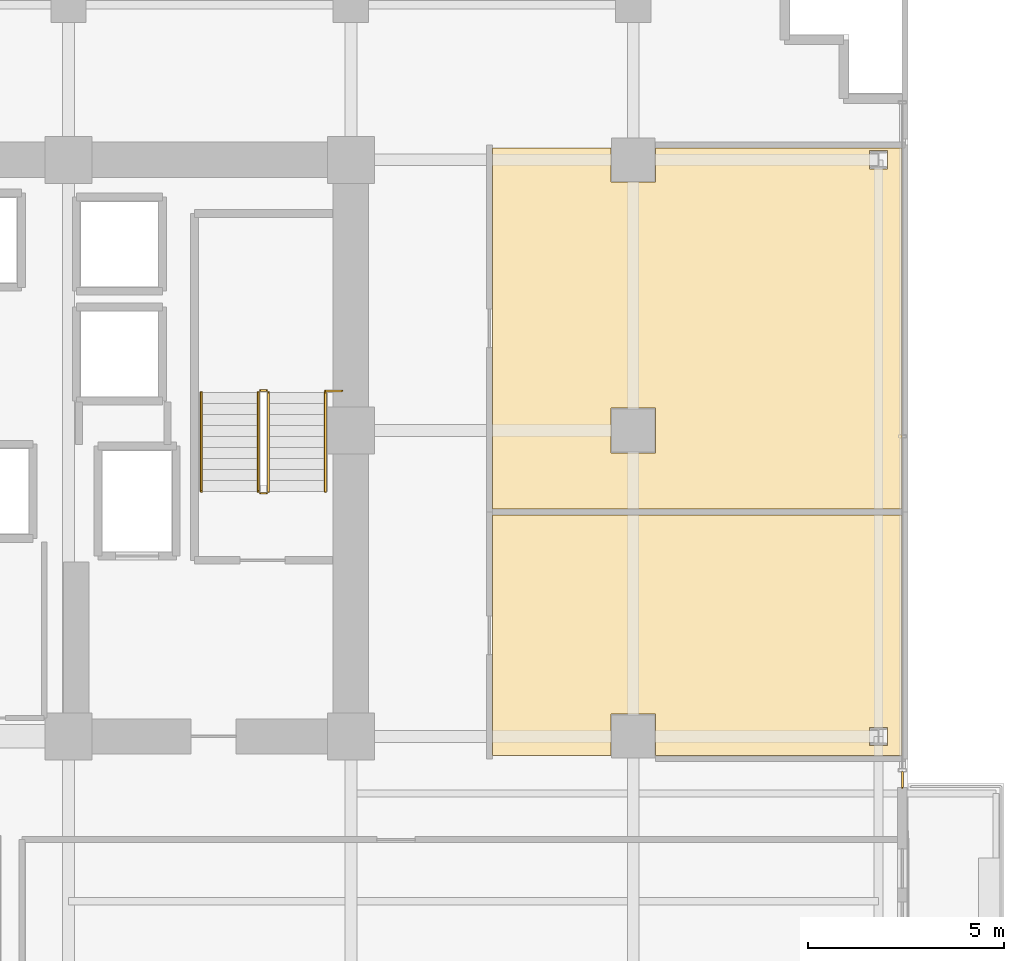
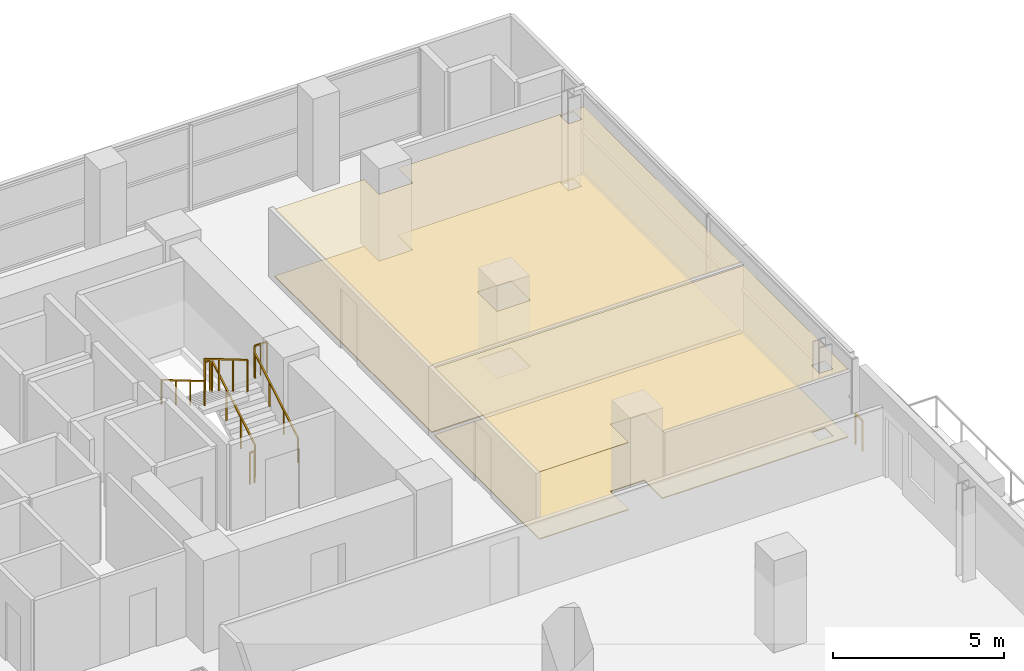
# One storey, part 29 of 30: 8 railings, 4 coverings.
"""IFC4 building model written with IfcOpenShell, lengths in metres."""

from ifc_helpers import new_model, si_unit, direction, frame, origin, origin_2d, place, context, subcontext, project, spatial, polyline, rectangle, outline, extrude, material, layer, layer_set, type_object, element, save


model = new_model("IFC4")

# Units and contexts
model_context = context("Model", 3, precision=1e-05, world=origin(), true_north=direction((0.0, 1.0)))
body_context = subcontext(model_context, "Body", "Model", "MODEL_VIEW")
ifc_project = project(units=[si_unit("LENGTHUNIT", "METRE"), si_unit("AREAUNIT", "SQUARE_METRE"), si_unit("VOLUMEUNIT", "CUBIC_METRE"), si_unit("PLANEANGLEUNIT", "RADIAN"), si_unit("MASSUNIT", "GRAM", prefix="KILO")], contexts=[model_context])

# Site, building, storey
site_placement = place(None, origin())
site = spatial("IfcSite", under=ifc_project, at=site_placement, CompositionType="ELEMENT")
building_placement = place(site_placement, origin())
building = spatial("IfcBuilding", under=site, at=building_placement, Name="Zarnakvel Exchange Tower", CompositionType="ELEMENT")
storey_placement = place(building_placement, frame((0.0, 0.0, 30.699951171875)))
storey = spatial("IfcBuildingStorey", under=building, at=storey_placement, Name="L07", CompositionType="ELEMENT", Elevation=30.699951171875)

# Coverings
ifc_material_1 = material(Name="Perforated Bronze Acoustic Metal Ceiling", Category="aluminium")
ifc_layer_1 = layer(ifc_material_1, 0.02001953125)
ifc_layer_set_1 = layer_set([ifc_layer_1], Name="Perforated Bronze Acoustic Metal Ceiling")
covering_type_1 = type_object("IfcCoveringType", Name="CLG-01", PredefinedType="CEILING", material=ifc_layer_set_1)
covering_1_placement = place(storey_placement, frame((0.0, 0.0, 2.405029296875)))
element("IfcCovering", 1, at=covering_1_placement, inside=storey, type_object=covering_type_1, Name="L07 Suspended Acoustic Ceiling (Staff Pantry)", PredefinedType="CEILING", context=body_context, shape_type="SweptSolid", body=[
    extrude(outline(polyline([(18.010009765625, 4.44189453125), (28.449951171875, 4.44189453125), (28.449951171875, -1.68994140625), (22.169921875, -1.68994140625), (22.169921875, -0.6298828125), (21.030029296875, -0.6298828125), (21.030029296875, -1.68994140625), (18.010009765625, -1.68994140625), (18.010009765625, 4.44189453125)]), holes=[polyline([(27.6240234375, -1.4326171875), (28.075927734375, -1.4326171875), (28.075927734375, -0.967529296875), (27.6240234375, -0.967529296875), (27.6240234375, -1.4326171875)])]), origin(), (0.0, 0.0, 1.0), 0.02001953125),
])
covering_2_placement = place(storey_placement, frame((0.0, 0.0, 2.405029296875)))
element("IfcCovering", 2, at=covering_2_placement, inside=storey, type_object=covering_type_1, Name="L07 Suspended Acoustic Ceiling (Market Data Suite)", PredefinedType="CEILING", context=body_context, shape_type="SweptSolid", body=[
    extrude(outline(polyline([(18.010009765625, 13.800048828125), (21.030029296875, 13.800048828125), (21.030029296875, 12.929931640625), (22.169921875, 12.929931640625), (22.169921875, 13.800048828125), (28.449951171875, 13.800048828125), (28.449951171875, 4.60205078125), (18.010009765625, 4.60205078125), (18.010009765625, 13.800048828125)]), holes=[polyline([(27.6240234375, 13.267578125), (28.075927734375, 13.267578125), (28.075927734375, 13.732421875), (27.6240234375, 13.732421875), (27.6240234375, 13.267578125)]), polyline([(22.169921875, 6.030029296875), (22.169921875, 7.169921875), (21.030029296875, 7.169921875), (21.030029296875, 6.030029296875), (22.169921875, 6.030029296875)])]), origin(), (0.0, 0.0, 1.0), 0.02001953125),
])
ifc_material_2 = material(Name="Heavy-Duty Raised Access Floor Panel", Category="steel")
ifc_layer_2 = layer(ifc_material_2, 0.034912109375)
ifc_layer_set_2 = layer_set([ifc_layer_2], Name="Heavy-Duty Raised Access Floor Panel")
covering_type_2 = type_object("IfcCoveringType", Name="FLR-02", PredefinedType="FLOORING", material=ifc_layer_set_2)
covering_3_placement = place(storey_placement, origin())
element("IfcCovering", 3, at=covering_3_placement, inside=storey, type_object=covering_type_2, Name="L07 Floor Finish (Staff Pantry)", PredefinedType="FLOORING", context=body_context, shape_type="SweptSolid", body=[
    extrude(outline(polyline([(18.010009765625, 4.44189453125), (28.449951171875, 4.44189453125), (28.449951171875, -1.68994140625), (22.169921875, -1.68994140625), (22.169921875, -0.6298828125), (21.030029296875, -0.6298828125), (21.030029296875, -1.68994140625), (18.010009765625, -1.68994140625), (18.010009765625, 4.44189453125)]), holes=[polyline([(27.6240234375, -1.4326171875), (28.075927734375, -1.4326171875), (28.075927734375, -0.967529296875), (27.6240234375, -0.967529296875), (27.6240234375, -1.4326171875)])]), origin(), (0.0, 0.0, 1.0), 0.03515625),
])
covering_4_placement = place(storey_placement, origin())
element("IfcCovering", 4, at=covering_4_placement, inside=storey, type_object=covering_type_2, Name="L07 Floor Finish (Market Data Suite)", PredefinedType="FLOORING", context=body_context, shape_type="SweptSolid", body=[
    extrude(outline(polyline([(18.010009765625, 13.800048828125), (21.030029296875, 13.800048828125), (21.030029296875, 12.929931640625), (22.169921875, 12.929931640625), (22.169921875, 13.800048828125), (28.449951171875, 13.800048828125), (28.449951171875, 4.60205078125), (18.010009765625, 4.60205078125), (18.010009765625, 13.800048828125)]), holes=[polyline([(27.6240234375, 13.267578125), (28.075927734375, 13.267578125), (28.075927734375, 13.732421875), (27.6240234375, 13.732421875), (27.6240234375, 13.267578125)]), polyline([(22.169921875, 6.030029296875), (22.169921875, 7.169921875), (21.030029296875, 7.169921875), (21.030029296875, 6.030029296875), (22.169921875, 6.030029296875)])]), origin(), (0.0, 0.0, 1.0), 0.03515625),
])

# Railings
ifc_material_3 = material(Name="Architectural Bronze Anodised Aluminium", Category="aluminium")
railing_type_1 = type_object("IfcRailingType", Name="GR-02", PredefinedType="GUARDRAIL", material=ifc_material_3)
railing_1_placement = place(storey_placement, frame((28.4599609375, -2.10009765625, 0.0)))
element("IfcRailing", 5, at=railing_1_placement, inside=storey, type_object=railing_type_1, Name="L07 Corner Spandrel Balustrade #9", PredefinedType="GUARDRAIL", context=body_context, shape_type="SweptSolid", body=[
    extrude(rectangle(XDim=0.048095703125, YDim=0.048095703125, at=origin_2d()), frame((0.0, 0.0, 1.09619140625), z_axis=(0.0, -1.0, 0.0), x_axis=(1.0, 0.0, 0.0)), (0.0, 0.0, 1.0), 0.39990234375),
    extrude(rectangle(XDim=0.0419921875, YDim=0.0419921875, at=origin_2d()), origin(), (0.0, 0.0, 1.0), 1.072021484375),
    extrude(rectangle(XDim=0.0419921875, YDim=0.0419921875, at=origin_2d()), frame((0.0, -0.39990234375, 0.0)), (0.0, 0.0, 1.0), 1.072021484375),
])
ifc_material_4 = material(Name="Brushed Stainless Steel", Category="steel")
railing_type_2 = type_object("IfcRailingType", Name="HR-01", PredefinedType="HANDRAIL", material=ifc_material_4)
railing_2_placement = place(storey_placement, frame((13.75, 5.050048828125, 0.1650390625)))
element("IfcRailing", 6, at=railing_2_placement, inside=storey, type_object=railing_type_2, Name="L07 ST-02 stair handrail 1", PredefinedType="HANDRAIL", context=body_context, shape_type="SweptSolid", body=[
    extrude(rectangle(XDim=0.048095703125, YDim=0.048095703125, at=origin_2d()), frame((0.0, 0.0, 0.8759765625), z_axis=(0.0, 0.86152411907, 0.507716645641), x_axis=(-1.0, 0.0, 0.0)), (0.0, 0.0, 1.0), 2.925048828125),
    extrude(rectangle(XDim=0.0419921875, YDim=0.0419921875, at=origin_2d()), origin(), (0.0, 0.0, 1.0), 0.851806640625),
    extrude(rectangle(XDim=0.0419921875, YDim=0.0419921875, at=origin_2d()), frame((0.0, 0.840087890625, 0.4951171875)), (0.0, 0.0, 1.0), 0.851806640625),
    extrude(rectangle(XDim=0.0419921875, YDim=0.0419921875, at=origin_2d()), frame((0.0, 1.679931640625, 0.989990234375)), (0.0, 0.0, 1.0), 0.851806640625),
    extrude(rectangle(XDim=0.0419921875, YDim=0.0419921875, at=origin_2d()), frame((0.0, 2.52001953125, 1.485107421875)), (0.0, 0.0, 1.0), 0.851806640625),
])
railing_3_placement = place(storey_placement, frame((10.590087890625, 7.570068359375, 1.81494140625)))
element("IfcRailing", 7, at=railing_3_placement, inside=storey, type_object=railing_type_2, Name="L07 ST-02 stair handrail 2", PredefinedType="HANDRAIL", context=body_context, shape_type="SweptSolid", body=[
    extrude(rectangle(XDim=0.048095703125, YDim=0.048095703125, at=origin_2d()), frame((0.0, 0.0, 0.8759765625), z_axis=(0.0, -0.86152411907, 0.507716645641), x_axis=(1.0, 0.0, 0.0)), (0.0, 0.0, 1.0), 2.925048828125),
    extrude(rectangle(XDim=0.0419921875, YDim=0.0419921875, at=origin_2d()), origin(), (0.0, 0.0, 1.0), 0.851806640625),
    extrude(rectangle(XDim=0.0419921875, YDim=0.0419921875, at=origin_2d()), frame((0.0, -0.840087890625, 0.4951171875)), (0.0, 0.0, 1.0), 0.851806640625),
    extrude(rectangle(XDim=0.0419921875, YDim=0.0419921875, at=origin_2d()), frame((0.0, -1.679931640625, 0.989990234375)), (0.0, 0.0, 1.0), 0.851806640625),
    extrude(rectangle(XDim=0.0419921875, YDim=0.0419921875, at=origin_2d()), frame((0.0, -2.52001953125, 1.485107421875)), (0.0, 0.0, 1.0), 0.851806640625),
])
railing_type_3 = type_object("IfcRailingType", Name="SG-01", PredefinedType="GUARDRAIL", material=ifc_material_3)
railing_4_placement = place(storey_placement, frame((12.300048828125, 5.050048828125, 0.1650390625)))
element("IfcRailing", 8, at=railing_4_placement, inside=storey, type_object=railing_type_3, Name="L07 ST-02 stair guard 1", PredefinedType="GUARDRAIL", context=body_context, shape_type="SweptSolid", body=[
    extrude(rectangle(XDim=0.048095703125, YDim=0.048095703125, at=origin_2d()), frame((0.0, 0.0, 1.1259765625), z_axis=(0.0, 0.86152411907, 0.507716645641), x_axis=(-1.0, 0.0, 0.0)), (0.0, 0.0, 1.0), 2.925048828125),
    extrude(rectangle(XDim=0.0419921875, YDim=0.0419921875, at=origin_2d()), origin(), (0.0, 0.0, 1.0), 1.101806640625),
    extrude(rectangle(XDim=0.0419921875, YDim=0.0419921875, at=origin_2d()), frame((0.0, 0.840087890625, 0.4951171875)), (0.0, 0.0, 1.0), 1.101806640625),
    extrude(rectangle(XDim=0.0419921875, YDim=0.0419921875, at=origin_2d()), frame((0.0, 1.679931640625, 0.989990234375)), (0.0, 0.0, 1.0), 1.101806640625),
    extrude(rectangle(XDim=0.0419921875, YDim=0.0419921875, at=origin_2d()), frame((0.0, 2.52001953125, 1.485107421875)), (0.0, 0.0, 1.0), 1.101806640625),
])
railing_5_placement = place(storey_placement, frame((12.25, 7.6201171875, 1.650146484375)))
element("IfcRailing", 9, at=railing_5_placement, inside=storey, type_object=railing_type_3, Name="L07 ST-02 stair guard 2", PredefinedType="GUARDRAIL", context=body_context, shape_type="SweptSolid", body=[
    extrude(rectangle(XDim=0.048095703125, YDim=0.048095703125, at=origin_2d()), frame((0.0, 0.0, 1.1259765625), z_axis=(-1.0, 0.0, 0.0), x_axis=(0.0, -1.0, 0.0)), (0.0, 0.0, 1.0), 0.159912109375),
    extrude(rectangle(XDim=0.0419921875, YDim=0.0419921875, at=origin_2d()), origin(), (0.0, 0.0, 1.0), 1.101806640625),
    extrude(rectangle(XDim=0.0419921875, YDim=0.0419921875, at=origin_2d()), frame((-0.159912109375, 0.0, 0.0)), (0.0, 0.0, 1.0), 1.101806640625),
])
railing_6_placement = place(storey_placement, frame((12.0400390625, 7.570068359375, 1.81494140625)))
element("IfcRailing", 10, at=railing_6_placement, inside=storey, type_object=railing_type_3, Name="L07 ST-02 stair guard 3", PredefinedType="GUARDRAIL", context=body_context, shape_type="SweptSolid", body=[
    extrude(rectangle(XDim=0.048095703125, YDim=0.048095703125, at=origin_2d()), frame((0.0, 0.0, 1.1259765625), z_axis=(0.0, -0.86152411907, 0.507716645641), x_axis=(1.0, 0.0, 0.0)), (0.0, 0.0, 1.0), 2.925048828125),
    extrude(rectangle(XDim=0.0419921875, YDim=0.0419921875, at=origin_2d()), origin(), (0.0, 0.0, 1.0), 1.101806640625),
    extrude(rectangle(XDim=0.0419921875, YDim=0.0419921875, at=origin_2d()), frame((0.0, -0.840087890625, 0.4951171875)), (0.0, 0.0, 1.0), 1.101806640625),
    extrude(rectangle(XDim=0.0419921875, YDim=0.0419921875, at=origin_2d()), frame((0.0, -1.679931640625, 0.989990234375)), (0.0, 0.0, 1.0), 1.101806640625),
    extrude(rectangle(XDim=0.0419921875, YDim=0.0419921875, at=origin_2d()), frame((0.0, -2.52001953125, 1.485107421875)), (0.0, 0.0, 1.0), 1.101806640625),
])
railing_7_placement = place(storey_placement, frame((12.25, 5.0, 0.0)))
element("IfcRailing", 11, at=railing_7_placement, inside=storey, type_object=railing_type_3, Name="L07 ST-02 stair guard 4", PredefinedType="GUARDRAIL", context=body_context, shape_type="SweptSolid", body=[
    extrude(rectangle(XDim=0.048095703125, YDim=0.048095703125, at=origin_2d()), frame((0.0, 0.0, 1.1259765625), z_axis=(-1.0, 0.0, 0.0), x_axis=(0.0, -1.0, 0.0)), (0.0, 0.0, 1.0), 0.159912109375),
    extrude(rectangle(XDim=0.0419921875, YDim=0.0419921875, at=origin_2d()), origin(), (0.0, 0.0, 1.0), 1.101806640625),
    extrude(rectangle(XDim=0.0419921875, YDim=0.0419921875, at=origin_2d()), frame((-0.159912109375, 0.0, 0.0)), (0.0, 0.0, 1.0), 1.101806640625),
])
railing_8_placement = place(storey_placement, frame((13.75, 7.610107421875, 1.650146484375)))
element("IfcRailing", 12, at=railing_8_placement, inside=storey, type_object=railing_type_3, Name="L07 ST-02 Landing Slot Guardrail", PredefinedType="GUARDRAIL", context=body_context, shape_type="SweptSolid", body=[
    extrude(rectangle(XDim=0.048095703125, YDim=0.048095703125, at=origin_2d()), frame((0.0, 0.0, 1.1259765625), z_axis=(1.0, 0.0, 0.0), x_axis=(0.0, 1.0, 0.0)), (0.0, 0.0, 1.0), 0.429931640625),
    extrude(rectangle(XDim=0.0419921875, YDim=0.0419921875, at=origin_2d()), origin(), (0.0, 0.0, 1.0), 1.101806640625),
    extrude(rectangle(XDim=0.0419921875, YDim=0.0419921875, at=origin_2d()), frame((0.21484375, 0.0, 0.0)), (0.0, 0.0, 1.0), 1.101806640625),
    extrude(rectangle(XDim=0.0419921875, YDim=0.0419921875, at=origin_2d()), frame((0.429931640625, 0.0, 0.0)), (0.0, 0.0, 1.0), 1.101806640625),
])

save(model, "model.ifc")
